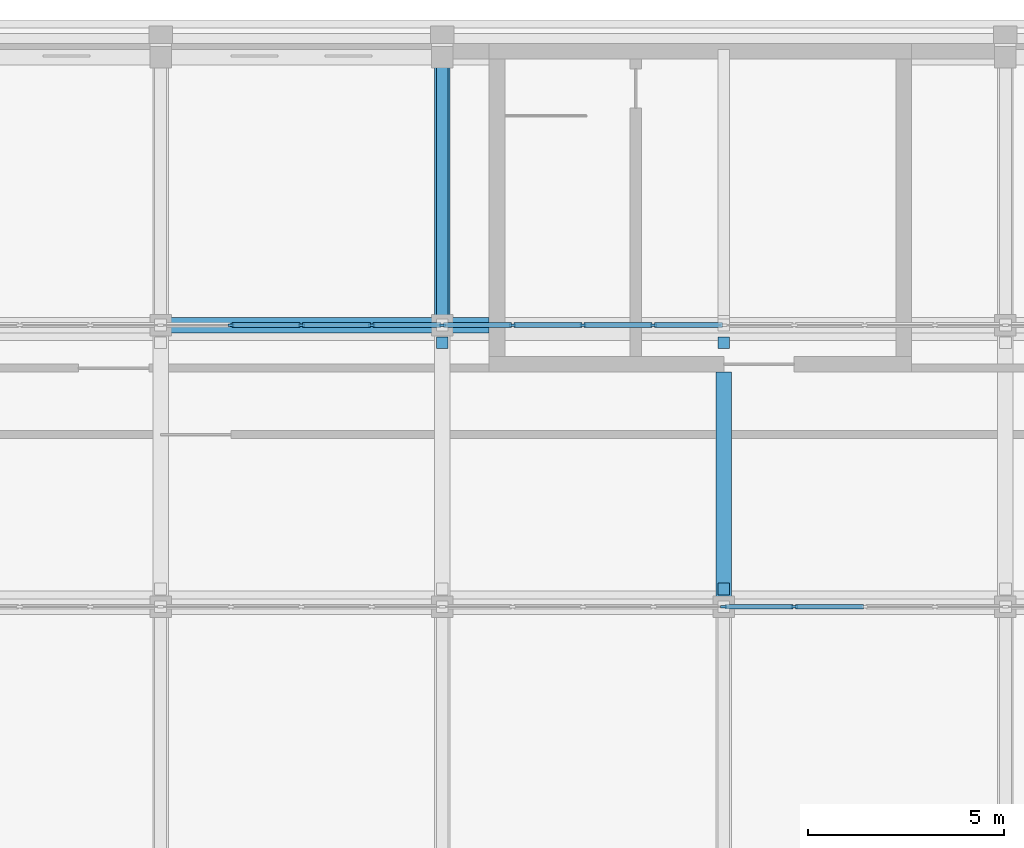
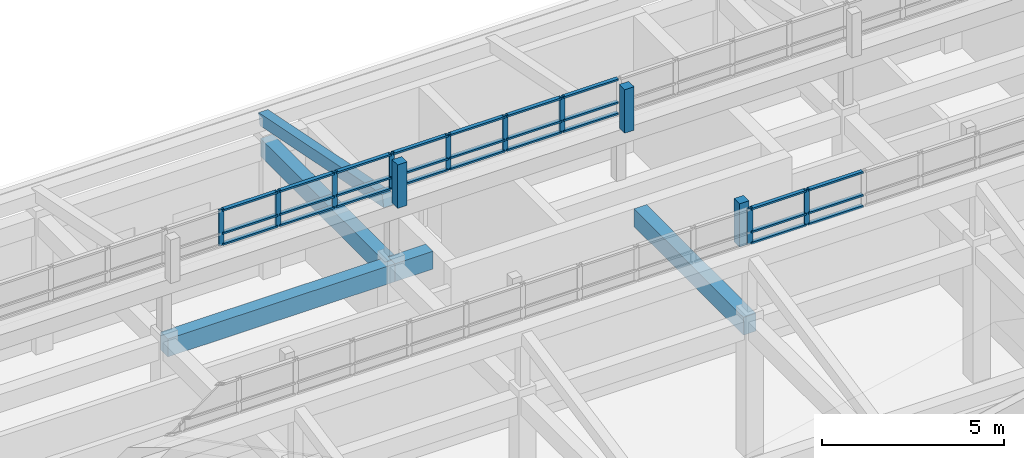
# One storey, part 17 of 48: 39 members, 5 beams, 2 elements without a shape of their own.
"""IFC4 building model written with IfcOpenShell, lengths in metres."""

from ifc_helpers import new_model, si_unit, direction, frame, origin, origin_2d, place, context, subcontext, project, spatial, rectangle, extrude, material, material_profile, profile_set, type_object, element, aggregate, save


model = new_model("IFC4")

# Units and contexts
model_context = context("Model", 3, precision=1e-05, world=origin(), true_north=direction((0.0, 1.0)))
body_context = subcontext(model_context, "Body", "Model", "MODEL_VIEW")
ifc_project = project(units=[si_unit("LENGTHUNIT", "METRE"), si_unit("AREAUNIT", "SQUARE_METRE"), si_unit("VOLUMEUNIT", "CUBIC_METRE"), si_unit("PLANEANGLEUNIT", "RADIAN"), si_unit("MASSUNIT", "GRAM", prefix="KILO")], contexts=[model_context])

# Site, building, storey
site_placement = place(None, origin())
site = spatial("IfcSite", under=ifc_project, at=site_placement, CompositionType="ELEMENT")
building_placement = place(site_placement, origin())
building = spatial("IfcBuilding", under=site, at=building_placement, Name="Alderwick Market Hall", CompositionType="ELEMENT")
storey_placement = place(building_placement, frame((0.0, 0.0, 14.39990234375)))
storey = spatial("IfcBuildingStorey", under=building, at=storey_placement, Name="L02", CompositionType="ELEMENT", Elevation=14.39990234375)

# Curtain wall, members
ifc_material_1 = material(Name="F Curtain Wall 1800 module")
curtain_wall_type = type_object("IfcCurtainWallType", Name="F Curtain Wall 1800 module", PredefinedType="NOTDEFINED", material=ifc_material_1)
curtain_wall_1_placement = place(storey_placement, origin())
curtain_wall_1 = element("IfcCurtainWall", 1, at=curtain_wall_1_placement, inside=storey, type_object=curtain_wall_type, Name="F.lantern.L02.s", PredefinedType="NOTDEFINED")
ifc_material_2 = material(Name="Aluminium alloy 6063-T6", Category="aluminium")
ifc_material_profile_1 = material_profile(ifc_material_2, rectangle(XDim=0.06005859375, YDim=0.159912109375, at=origin_2d()), Name="AL 60x160")
ifc_profile_set_1 = profile_set([ifc_material_profile_1], Name="Aluminium alloy 6063-T6")
member_type_1 = type_object("IfcMemberType", Name="F Curtain Wall Mullion 60x160", PredefinedType="MULLION", material=ifc_profile_set_1)
member_1_placement = place(storey_placement, frame((194.39990234375, 136.800048828125, 6.955078125), z_axis=(0.0, 0.0, 1.0), x_axis=(0.0, 1.0, 0.0)))
member_1 = element("IfcMember", 2, at=member_1_placement, type_object=member_type_1, Name="F-LCW mullion 17", PredefinedType="MULLION", context=body_context, shape_type="SweptSolid", body=[
    extrude(rectangle(XDim=0.06005859375, YDim=0.159912109375, at=origin_2d()), origin(), (0.0, 0.0, 1.0), 1.199951171875),
])
member_2_placement = place(storey_placement, frame((196.199951171875, 136.800048828125, 6.955078125), z_axis=(0.0, 0.0, 1.0), x_axis=(0.0, 1.0, 0.0)))
member_2 = element("IfcMember", 3, at=member_2_placement, type_object=member_type_1, Name="F-LCW mullion 18", PredefinedType="MULLION", context=body_context, shape_type="SweptSolid", body=[
    extrude(rectangle(XDim=0.06005859375, YDim=0.159912109375, at=origin_2d()), origin(), (0.0, 0.0, 1.0), 1.199951171875),
])

curtain_wall_2_placement = place(storey_placement, origin())
curtain_wall_2 = element("IfcCurtainWall", 4, at=curtain_wall_2_placement, inside=storey, type_object=curtain_wall_type, Name="F.lantern.L02.n", PredefinedType="NOTDEFINED")
member_3_placement = place(storey_placement, frame((181.800048828125, 144.0, 6.955078125), z_axis=(0.0, 0.0, 1.0), x_axis=(0.0, 1.0, 0.0)))
member_3 = element("IfcMember", 5, at=member_3_placement, type_object=member_type_1, Name="F-LCW mullion 10", PredefinedType="MULLION", context=body_context, shape_type="SweptSolid", body=[
    extrude(rectangle(XDim=0.06005859375, YDim=0.159912109375, at=origin_2d()), origin(), (0.0, 0.0, 1.0), 1.199951171875),
])
member_4_placement = place(storey_placement, frame((183.60009765625, 144.0, 6.955078125), z_axis=(0.0, 0.0, 1.0), x_axis=(0.0, 1.0, 0.0)))
member_4 = element("IfcMember", 6, at=member_4_placement, type_object=member_type_1, Name="F-LCW mullion 11", PredefinedType="MULLION", context=body_context, shape_type="SweptSolid", body=[
    extrude(rectangle(XDim=0.06005859375, YDim=0.159912109375, at=origin_2d()), origin(), (0.0, 0.0, 1.0), 1.199951171875),
])
member_5_placement = place(storey_placement, frame((185.39990234375, 144.0, 6.955078125), z_axis=(0.0, 0.0, 1.0), x_axis=(0.0, 1.0, 0.0)))
member_5 = element("IfcMember", 7, at=member_5_placement, type_object=member_type_1, Name="F-LCW mullion 12", PredefinedType="MULLION", context=body_context, shape_type="SweptSolid", body=[
    extrude(rectangle(XDim=0.06005859375, YDim=0.159912109375, at=origin_2d()), origin(), (0.0, 0.0, 1.0), 1.199951171875),
])
member_6_placement = place(storey_placement, frame((187.199951171875, 144.0, 6.955078125), z_axis=(0.0, 0.0, 1.0), x_axis=(0.0, 1.0, 0.0)))
member_6 = element("IfcMember", 8, at=member_6_placement, type_object=member_type_1, Name="F-LCW mullion 13", PredefinedType="MULLION", context=body_context, shape_type="SweptSolid", body=[
    extrude(rectangle(XDim=0.06005859375, YDim=0.159912109375, at=origin_2d()), origin(), (0.0, 0.0, 1.0), 1.199951171875),
])
member_7_placement = place(storey_placement, frame((189.0, 144.0, 6.955078125), z_axis=(0.0, 0.0, 1.0), x_axis=(0.0, 1.0, 0.0)))
member_7 = element("IfcMember", 9, at=member_7_placement, type_object=member_type_1, Name="F-LCW mullion 14", PredefinedType="MULLION", context=body_context, shape_type="SweptSolid", body=[
    extrude(rectangle(XDim=0.06005859375, YDim=0.159912109375, at=origin_2d()), origin(), (0.0, 0.0, 1.0), 1.199951171875),
])
member_8_placement = place(storey_placement, frame((190.800048828125, 144.0, 6.955078125), z_axis=(0.0, 0.0, 1.0), x_axis=(0.0, 1.0, 0.0)))
member_8 = element("IfcMember", 10, at=member_8_placement, type_object=member_type_1, Name="F-LCW mullion 15", PredefinedType="MULLION", context=body_context, shape_type="SweptSolid", body=[
    extrude(rectangle(XDim=0.06005859375, YDim=0.159912109375, at=origin_2d()), origin(), (0.0, 0.0, 1.0), 1.199951171875),
])
member_9_placement = place(storey_placement, frame((192.60009765625, 144.0, 6.955078125), z_axis=(0.0, 0.0, 1.0), x_axis=(0.0, 1.0, 0.0)))
member_9 = element("IfcMember", 11, at=member_9_placement, type_object=member_type_1, Name="F-LCW mullion 16", PredefinedType="MULLION", context=body_context, shape_type="SweptSolid", body=[
    extrude(rectangle(XDim=0.06005859375, YDim=0.159912109375, at=origin_2d()), origin(), (0.0, 0.0, 1.0), 1.199951171875),
])

# Member
ifc_material_profile_2 = material_profile(ifc_material_2, rectangle(XDim=0.1201171875, YDim=0.06005859375, at=origin_2d()), Name="AL 60x120")
ifc_profile_set_2 = profile_set([ifc_material_profile_2], Name="Aluminium alloy 6063-T6")
member_type_2 = type_object("IfcMemberType", Name="F Curtain Wall Transom 60x120", PredefinedType="USERDEFINED", material=ifc_profile_set_2)
member_10_placement = place(storey_placement, frame((194.429931640625, 136.800048828125, 6.985107421875), z_axis=(1.0, 0.0, 0.0), x_axis=(0.0, 1.0, 0.0)))
member_10 = element("IfcMember", 12, at=member_10_placement, type_object=member_type_2, Name="F-LCW transom 17.1", ObjectType="TRANSOM", PredefinedType="USERDEFINED", context=body_context, shape_type="SweptSolid", body=[
    extrude(rectangle(XDim=0.1201171875, YDim=0.06005859375, at=origin_2d()), origin(), (0.0, 0.0, 1.0), 1.739990234375),
])

member_11_placement = place(storey_placement, frame((194.429931640625, 136.800048828125, 7.35498046875), z_axis=(1.0, 0.0, 0.0), x_axis=(0.0, 1.0, 0.0)))
member_11 = element("IfcMember", 13, at=member_11_placement, type_object=member_type_2, Name="F-LCW transom 17.2", ObjectType="TRANSOM", PredefinedType="USERDEFINED", context=body_context, shape_type="SweptSolid", body=[
    extrude(rectangle(XDim=0.1201171875, YDim=0.06005859375, at=origin_2d()), origin(), (0.0, 0.0, 1.0), 1.739990234375),
])

member_12_placement = place(storey_placement, frame((194.429931640625, 136.800048828125, 8.125), z_axis=(1.0, 0.0, 0.0), x_axis=(0.0, 1.0, 0.0)))
member_12 = element("IfcMember", 14, at=member_12_placement, type_object=member_type_2, Name="F-LCW transom 17.3", ObjectType="TRANSOM", PredefinedType="USERDEFINED", context=body_context, shape_type="SweptSolid", body=[
    extrude(rectangle(XDim=0.1201171875, YDim=0.06005859375, at=origin_2d()), origin(), (0.0, 0.0, 1.0), 1.739990234375),
])

member_13_placement = place(storey_placement, frame((196.22998046875, 136.800048828125, 6.985107421875), z_axis=(1.0, 0.0, 0.0), x_axis=(0.0, 1.0, 0.0)))
member_13 = element("IfcMember", 15, at=member_13_placement, type_object=member_type_2, Name="F-LCW transom 18.1", ObjectType="TRANSOM", PredefinedType="USERDEFINED", context=body_context, shape_type="SweptSolid", body=[
    extrude(rectangle(XDim=0.1201171875, YDim=0.06005859375, at=origin_2d()), origin(), (0.0, 0.0, 1.0), 1.739990234375),
])

member_14_placement = place(storey_placement, frame((196.22998046875, 136.800048828125, 7.35498046875), z_axis=(1.0, 0.0, 0.0), x_axis=(0.0, 1.0, 0.0)))
member_14 = element("IfcMember", 16, at=member_14_placement, type_object=member_type_2, Name="F-LCW transom 18.2", ObjectType="TRANSOM", PredefinedType="USERDEFINED", context=body_context, shape_type="SweptSolid", body=[
    extrude(rectangle(XDim=0.1201171875, YDim=0.06005859375, at=origin_2d()), origin(), (0.0, 0.0, 1.0), 1.739990234375),
])

member_15_placement = place(storey_placement, frame((196.22998046875, 136.800048828125, 8.125), z_axis=(1.0, 0.0, 0.0), x_axis=(0.0, 1.0, 0.0)))
member_15 = element("IfcMember", 17, at=member_15_placement, type_object=member_type_2, Name="F-LCW transom 18.3", ObjectType="TRANSOM", PredefinedType="USERDEFINED", context=body_context, shape_type="SweptSolid", body=[
    extrude(rectangle(XDim=0.1201171875, YDim=0.06005859375, at=origin_2d()), origin(), (0.0, 0.0, 1.0), 1.739990234375),
])

aggregate(curtain_wall_1, [member_1, member_2, member_10, member_11, member_12, member_13, member_14, member_15])

member_16_placement = place(storey_placement, frame((181.830078125, 144.0, 6.985107421875), z_axis=(1.0, 0.0, 0.0), x_axis=(0.0, 1.0, 0.0)))
member_16 = element("IfcMember", 18, at=member_16_placement, type_object=member_type_2, Name="F-LCW transom 10.1", ObjectType="TRANSOM", PredefinedType="USERDEFINED", context=body_context, shape_type="SweptSolid", body=[
    extrude(rectangle(XDim=0.1201171875, YDim=0.06005859375, at=origin_2d()), origin(), (0.0, 0.0, 1.0), 1.739990234375),
])

member_17_placement = place(storey_placement, frame((181.830078125, 144.0, 7.35498046875), z_axis=(1.0, 0.0, 0.0), x_axis=(0.0, 1.0, 0.0)))
member_17 = element("IfcMember", 19, at=member_17_placement, type_object=member_type_2, Name="F-LCW transom 10.2", ObjectType="TRANSOM", PredefinedType="USERDEFINED", context=body_context, shape_type="SweptSolid", body=[
    extrude(rectangle(XDim=0.1201171875, YDim=0.06005859375, at=origin_2d()), origin(), (0.0, 0.0, 1.0), 1.739990234375),
])

member_18_placement = place(storey_placement, frame((181.830078125, 144.0, 8.125), z_axis=(1.0, 0.0, 0.0), x_axis=(0.0, 1.0, 0.0)))
member_18 = element("IfcMember", 20, at=member_18_placement, type_object=member_type_2, Name="F-LCW transom 10.3", ObjectType="TRANSOM", PredefinedType="USERDEFINED", context=body_context, shape_type="SweptSolid", body=[
    extrude(rectangle(XDim=0.1201171875, YDim=0.06005859375, at=origin_2d()), origin(), (0.0, 0.0, 1.0), 1.739990234375),
])

member_19_placement = place(storey_placement, frame((183.6298828125, 144.0, 6.985107421875), z_axis=(1.0, 0.0, 0.0), x_axis=(0.0, 1.0, 0.0)))
member_19 = element("IfcMember", 21, at=member_19_placement, type_object=member_type_2, Name="F-LCW transom 11.1", ObjectType="TRANSOM", PredefinedType="USERDEFINED", context=body_context, shape_type="SweptSolid", body=[
    extrude(rectangle(XDim=0.1201171875, YDim=0.06005859375, at=origin_2d()), origin(), (0.0, 0.0, 1.0), 1.740234375),
])

member_20_placement = place(storey_placement, frame((183.6298828125, 144.0, 7.35498046875), z_axis=(1.0, 0.0, 0.0), x_axis=(0.0, 1.0, 0.0)))
member_20 = element("IfcMember", 22, at=member_20_placement, type_object=member_type_2, Name="F-LCW transom 11.2", ObjectType="TRANSOM", PredefinedType="USERDEFINED", context=body_context, shape_type="SweptSolid", body=[
    extrude(rectangle(XDim=0.1201171875, YDim=0.06005859375, at=origin_2d()), origin(), (0.0, 0.0, 1.0), 1.740234375),
])

member_21_placement = place(storey_placement, frame((183.6298828125, 144.0, 8.125), z_axis=(1.0, 0.0, 0.0), x_axis=(0.0, 1.0, 0.0)))
member_21 = element("IfcMember", 23, at=member_21_placement, type_object=member_type_2, Name="F-LCW transom 11.3", ObjectType="TRANSOM", PredefinedType="USERDEFINED", context=body_context, shape_type="SweptSolid", body=[
    extrude(rectangle(XDim=0.1201171875, YDim=0.06005859375, at=origin_2d()), origin(), (0.0, 0.0, 1.0), 1.740234375),
])

member_22_placement = place(storey_placement, frame((185.429931640625, 144.0, 6.985107421875), z_axis=(1.0, 0.0, 0.0), x_axis=(0.0, 1.0, 0.0)))
member_22 = element("IfcMember", 24, at=member_22_placement, type_object=member_type_2, Name="F-LCW transom 12.1", ObjectType="TRANSOM", PredefinedType="USERDEFINED", context=body_context, shape_type="SweptSolid", body=[
    extrude(rectangle(XDim=0.1201171875, YDim=0.06005859375, at=origin_2d()), origin(), (0.0, 0.0, 1.0), 1.739990234375),
])

member_23_placement = place(storey_placement, frame((185.429931640625, 144.0, 7.35498046875), z_axis=(1.0, 0.0, 0.0), x_axis=(0.0, 1.0, 0.0)))
member_23 = element("IfcMember", 25, at=member_23_placement, type_object=member_type_2, Name="F-LCW transom 12.2", ObjectType="TRANSOM", PredefinedType="USERDEFINED", context=body_context, shape_type="SweptSolid", body=[
    extrude(rectangle(XDim=0.1201171875, YDim=0.06005859375, at=origin_2d()), origin(), (0.0, 0.0, 1.0), 1.739990234375),
])

member_24_placement = place(storey_placement, frame((185.429931640625, 144.0, 8.125), z_axis=(1.0, 0.0, 0.0), x_axis=(0.0, 1.0, 0.0)))
member_24 = element("IfcMember", 26, at=member_24_placement, type_object=member_type_2, Name="F-LCW transom 12.3", ObjectType="TRANSOM", PredefinedType="USERDEFINED", context=body_context, shape_type="SweptSolid", body=[
    extrude(rectangle(XDim=0.1201171875, YDim=0.06005859375, at=origin_2d()), origin(), (0.0, 0.0, 1.0), 1.739990234375),
])

member_25_placement = place(storey_placement, frame((187.22998046875, 144.0, 6.985107421875), z_axis=(1.0, 0.0, 0.0), x_axis=(0.0, 1.0, 0.0)))
member_25 = element("IfcMember", 27, at=member_25_placement, type_object=member_type_2, Name="F-LCW transom 13.1", ObjectType="TRANSOM", PredefinedType="USERDEFINED", context=body_context, shape_type="SweptSolid", body=[
    extrude(rectangle(XDim=0.1201171875, YDim=0.06005859375, at=origin_2d()), origin(), (0.0, 0.0, 1.0), 1.739990234375),
])

member_26_placement = place(storey_placement, frame((187.22998046875, 144.0, 7.35498046875), z_axis=(1.0, 0.0, 0.0), x_axis=(0.0, 1.0, 0.0)))
member_26 = element("IfcMember", 28, at=member_26_placement, type_object=member_type_2, Name="F-LCW transom 13.2", ObjectType="TRANSOM", PredefinedType="USERDEFINED", context=body_context, shape_type="SweptSolid", body=[
    extrude(rectangle(XDim=0.1201171875, YDim=0.06005859375, at=origin_2d()), origin(), (0.0, 0.0, 1.0), 1.739990234375),
])

member_27_placement = place(storey_placement, frame((187.22998046875, 144.0, 8.125), z_axis=(1.0, 0.0, 0.0), x_axis=(0.0, 1.0, 0.0)))
member_27 = element("IfcMember", 29, at=member_27_placement, type_object=member_type_2, Name="F-LCW transom 13.3", ObjectType="TRANSOM", PredefinedType="USERDEFINED", context=body_context, shape_type="SweptSolid", body=[
    extrude(rectangle(XDim=0.1201171875, YDim=0.06005859375, at=origin_2d()), origin(), (0.0, 0.0, 1.0), 1.739990234375),
])

member_28_placement = place(storey_placement, frame((189.030029296875, 144.0, 6.985107421875), z_axis=(1.0, 0.0, 0.0), x_axis=(0.0, 1.0, 0.0)))
member_28 = element("IfcMember", 30, at=member_28_placement, type_object=member_type_2, Name="F-LCW transom 14.1", ObjectType="TRANSOM", PredefinedType="USERDEFINED", context=body_context, shape_type="SweptSolid", body=[
    extrude(rectangle(XDim=0.1201171875, YDim=0.06005859375, at=origin_2d()), origin(), (0.0, 0.0, 1.0), 1.739990234375),
])

member_29_placement = place(storey_placement, frame((189.030029296875, 144.0, 7.35498046875), z_axis=(1.0, 0.0, 0.0), x_axis=(0.0, 1.0, 0.0)))
member_29 = element("IfcMember", 31, at=member_29_placement, type_object=member_type_2, Name="F-LCW transom 14.2", ObjectType="TRANSOM", PredefinedType="USERDEFINED", context=body_context, shape_type="SweptSolid", body=[
    extrude(rectangle(XDim=0.1201171875, YDim=0.06005859375, at=origin_2d()), origin(), (0.0, 0.0, 1.0), 1.739990234375),
])

member_30_placement = place(storey_placement, frame((189.030029296875, 144.0, 8.125), z_axis=(1.0, 0.0, 0.0), x_axis=(0.0, 1.0, 0.0)))
member_30 = element("IfcMember", 32, at=member_30_placement, type_object=member_type_2, Name="F-LCW transom 14.3", ObjectType="TRANSOM", PredefinedType="USERDEFINED", context=body_context, shape_type="SweptSolid", body=[
    extrude(rectangle(XDim=0.1201171875, YDim=0.06005859375, at=origin_2d()), origin(), (0.0, 0.0, 1.0), 1.739990234375),
])

member_31_placement = place(storey_placement, frame((190.830078125, 144.0, 6.985107421875), z_axis=(1.0, 0.0, 0.0), x_axis=(0.0, 1.0, 0.0)))
member_31 = element("IfcMember", 33, at=member_31_placement, type_object=member_type_2, Name="F-LCW transom 15.1", ObjectType="TRANSOM", PredefinedType="USERDEFINED", context=body_context, shape_type="SweptSolid", body=[
    extrude(rectangle(XDim=0.1201171875, YDim=0.06005859375, at=origin_2d()), origin(), (0.0, 0.0, 1.0), 1.739990234375),
])

member_32_placement = place(storey_placement, frame((190.830078125, 144.0, 7.35498046875), z_axis=(1.0, 0.0, 0.0), x_axis=(0.0, 1.0, 0.0)))
member_32 = element("IfcMember", 34, at=member_32_placement, type_object=member_type_2, Name="F-LCW transom 15.2", ObjectType="TRANSOM", PredefinedType="USERDEFINED", context=body_context, shape_type="SweptSolid", body=[
    extrude(rectangle(XDim=0.1201171875, YDim=0.06005859375, at=origin_2d()), origin(), (0.0, 0.0, 1.0), 1.739990234375),
])

member_33_placement = place(storey_placement, frame((190.830078125, 144.0, 8.125), z_axis=(1.0, 0.0, 0.0), x_axis=(0.0, 1.0, 0.0)))
member_33 = element("IfcMember", 35, at=member_33_placement, type_object=member_type_2, Name="F-LCW transom 15.3", ObjectType="TRANSOM", PredefinedType="USERDEFINED", context=body_context, shape_type="SweptSolid", body=[
    extrude(rectangle(XDim=0.1201171875, YDim=0.06005859375, at=origin_2d()), origin(), (0.0, 0.0, 1.0), 1.739990234375),
])

member_34_placement = place(storey_placement, frame((192.6298828125, 144.0, 6.985107421875), z_axis=(1.0, 0.0, 0.0), x_axis=(0.0, 1.0, 0.0)))
member_34 = element("IfcMember", 36, at=member_34_placement, type_object=member_type_2, Name="F-LCW transom 16.1", ObjectType="TRANSOM", PredefinedType="USERDEFINED", context=body_context, shape_type="SweptSolid", body=[
    extrude(rectangle(XDim=0.1201171875, YDim=0.06005859375, at=origin_2d()), origin(), (0.0, 0.0, 1.0), 1.740234375),
])

member_35_placement = place(storey_placement, frame((192.6298828125, 144.0, 7.35498046875), z_axis=(1.0, 0.0, 0.0), x_axis=(0.0, 1.0, 0.0)))
member_35 = element("IfcMember", 37, at=member_35_placement, type_object=member_type_2, Name="F-LCW transom 16.2", ObjectType="TRANSOM", PredefinedType="USERDEFINED", context=body_context, shape_type="SweptSolid", body=[
    extrude(rectangle(XDim=0.1201171875, YDim=0.06005859375, at=origin_2d()), origin(), (0.0, 0.0, 1.0), 1.740234375),
])

member_36_placement = place(storey_placement, frame((192.6298828125, 144.0, 8.125), z_axis=(1.0, 0.0, 0.0), x_axis=(0.0, 1.0, 0.0)))
member_36 = element("IfcMember", 38, at=member_36_placement, type_object=member_type_2, Name="F-LCW transom 16.3", ObjectType="TRANSOM", PredefinedType="USERDEFINED", context=body_context, shape_type="SweptSolid", body=[
    extrude(rectangle(XDim=0.1201171875, YDim=0.06005859375, at=origin_2d()), origin(), (0.0, 0.0, 1.0), 1.740234375),
])

aggregate(curtain_wall_2, [member_3, member_4, member_5, member_6, member_7, member_8, member_9, member_16, member_17, member_18, member_19, member_20, member_21, member_22, member_23, member_24, member_25, member_26, member_27, member_28, member_29, member_30, member_31, member_32, member_33, member_34, member_35, member_36])

# Beams
ifc_material_3 = material(Name="Concrete 5000 psi (f'c 35 MPa)", Category="concrete")
ifc_material_profile_3 = material_profile(ifc_material_3, rectangle(XDim=0.39990234375, YDim=0.60009765625, at=origin_2d()), Name="RC 400x600")
ifc_profile_set_3 = profile_set([ifc_material_profile_3], Name="Concrete 5000 psi (f'c 35 MPa)")
beam_type_1 = type_object("IfcBeamType", Name="F Floor Beam RC 400x600", PredefinedType="BEAM", material=ifc_profile_set_3)
beam_1_placement = place(storey_placement, frame((180.0, 144.0, 4.25), z_axis=(1.0, 0.0, 0.0), x_axis=(0.0, 1.0, 0.0)))
element("IfcBeam", 39, at=beam_1_placement, inside=storey, type_object=beam_type_1, Name="F.beam.L02.023", PredefinedType="BEAM", context=body_context, shape_type="SweptSolid", body=[
    extrude(rectangle(XDim=0.39990234375, YDim=0.60009765625, at=origin_2d()), origin(), (0.0, 0.0, 1.0), 7.199951171875),
])
beam_2_placement = place(storey_placement, frame((187.199951171875, 144.0, 4.25), z_axis=(1.0, 0.0, 0.0), x_axis=(0.0, 1.0, 0.0)))
element("IfcBeam", 40, at=beam_2_placement, inside=storey, type_object=beam_type_1, Name="F.beam.L02.024", PredefinedType="BEAM", context=body_context, shape_type="SweptSolid", body=[
    extrude(rectangle(XDim=0.39990234375, YDim=0.60009765625, at=origin_2d()), origin(), (0.0, 0.0, 1.0), 1.200927734375),
])
beam_3_placement = place(storey_placement, frame((187.199951171875, 144.0, 4.25), z_axis=(0.0, 1.0, 0.0), x_axis=(-1.0, 0.0, 0.0)))
element("IfcBeam", 41, at=beam_3_placement, inside=storey, type_object=beam_type_1, Name="F.beam.L02.049", PredefinedType="BEAM", context=body_context, shape_type="SweptSolid", body=[
    extrude(rectangle(XDim=0.39990234375, YDim=0.60009765625, at=origin_2d()), origin(), (0.0, 0.0, 1.0), 6.85009765625),
])
beam_4_placement = place(storey_placement, frame((194.39990234375, 136.800048828125, 4.25), z_axis=(0.0, 1.0, 0.0), x_axis=(-1.0, 0.0, 0.0)))
element("IfcBeam", 42, at=beam_4_placement, inside=storey, type_object=beam_type_1, Name="F.beam.L02.051", PredefinedType="BEAM", context=body_context, shape_type="SweptSolid", body=[
    extrude(rectangle(XDim=0.39990234375, YDim=0.60009765625, at=origin_2d()), origin(), (0.0, 0.0, 1.0), 6.0009765625),
])

# Members
ifc_material_profile_4 = material_profile(ifc_material_3, rectangle(XDim=0.300048828125, YDim=0.300048828125, at=origin_2d()), Name="RC 300x300")
ifc_profile_set_4 = profile_set([ifc_material_profile_4], Name="Concrete 5000 psi (f'c 35 MPa)")
member_type_3 = type_object("IfcMemberType", Name="F Lantern Post RC 300x300", PredefinedType="POST", material=ifc_profile_set_4)
for number, where, z_axis, x_axis, name in (
    (43, (194.39990234375, 137.25, 6.7001953125), (0.0, 0.0, 1.0), (1.0, 0.0, 0.0), "F.lanternpost.L02.05"),
    (44, (187.199951171875, 143.550048828125, 6.7001953125), (0.0, 0.0, 1.0), (1.0, 0.0, 0.0), "F.lanternpost.L02.13"),
    (45, (194.39990234375, 143.550048828125, 6.7001953125), (0.0, 0.0, 1.0), (1.0, 0.0, 0.0), "F.lanternpost.L02.14"),
):
    element("IfcMember", number, at=place(storey_placement, frame(where, z_axis=z_axis, x_axis=x_axis)), inside=storey, type_object=member_type_3, Name=name, PredefinedType="POST", context=body_context, shape_type="SweptSolid", body=[
        extrude(rectangle(XDim=0.300048828125, YDim=0.300048828125, at=origin_2d()), origin(), (0.0, 0.0, 1.0), 1.454833984375),
    ])

# Beam
ifc_material_profile_5 = material_profile(ifc_material_3, rectangle(XDim=0.300048828125, YDim=0.39990234375, at=origin_2d()), Name="RC 300x400")
ifc_profile_set_5 = profile_set([ifc_material_profile_5], Name="Concrete 5000 psi (f'c 35 MPa)")
beam_type_2 = type_object("IfcBeamType", Name="F Rafter RC 300x400", PredefinedType="BEAM", material=ifc_profile_set_5)
beam_5_placement = place(storey_placement, frame((187.199951171875, 151.0, 5.08642578125), z_axis=(0.0, -0.980319904111, 0.197415515103), x_axis=(1.0, 0.0, 0.0)))
element("IfcBeam", 46, at=beam_5_placement, inside=storey, type_object=beam_type_2, Name="F.rafter.L02.008", PredefinedType="BEAM", context=body_context, shape_type="SweptSolid", body=[
    extrude(rectangle(XDim=0.300048828125, YDim=0.39990234375, at=origin_2d()), origin(), (0.0, 0.0, 1.0), 6.9365234375),
])

save(model, "model.ifc")
